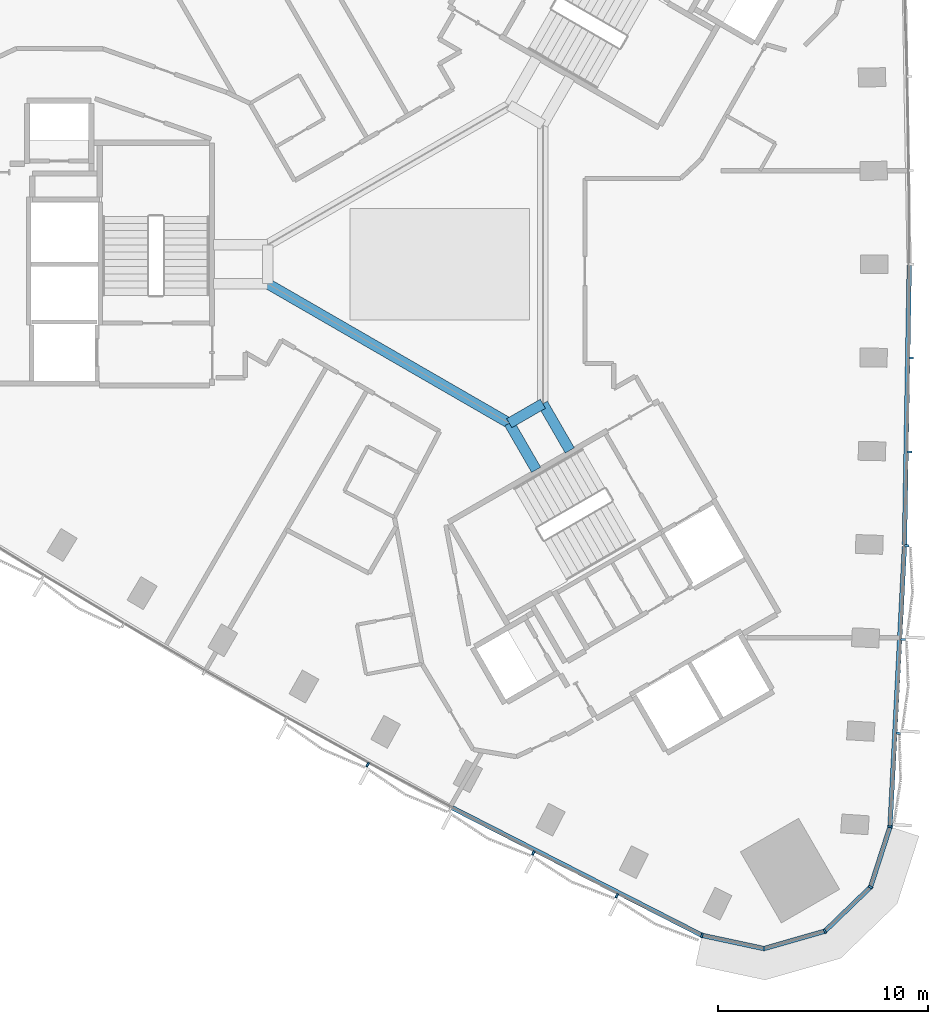
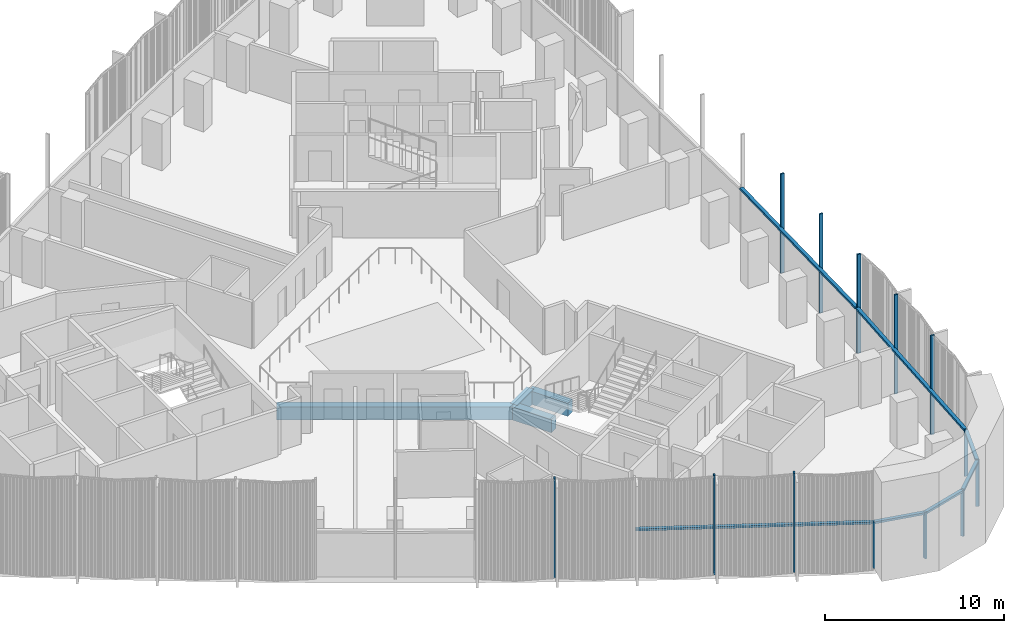
# One storey, part 3 of 15: 20 members, 4 beams, 2 elements without a shape of their own.
"""IFC4 building model written with IfcOpenShell, lengths in metres."""

from ifc_helpers import new_model, si_unit, direction, frame, origin, origin_2d, place, context, subcontext, project, spatial, rectangle, extrude, material, material_profile, profile_set, type_object, element, aggregate, save


model = new_model("IFC4")

# Units and contexts
model_context = context("Model", 3, precision=1e-05, world=origin(), true_north=direction((0.0, 1.0)))
body_context = subcontext(model_context, "Body", "Model", "MODEL_VIEW")
ifc_project = project(units=[si_unit("LENGTHUNIT", "METRE"), si_unit("AREAUNIT", "SQUARE_METRE"), si_unit("VOLUMEUNIT", "CUBIC_METRE"), si_unit("PLANEANGLEUNIT", "RADIAN"), si_unit("MASSUNIT", "GRAM", prefix="KILO")], contexts=[model_context])

# Site, building, storey
site_placement = place(None, origin())
site = spatial("IfcSite", under=ifc_project, at=site_placement, CompositionType="ELEMENT")
building_placement = place(site_placement, origin())
building = spatial("IfcBuilding", under=site, at=building_placement, Name="Tamra Quay Hotel Tower", CompositionType="ELEMENT")
storey_placement = place(building_placement, frame((0.0, 0.0, 79.39990234375)))
storey = spatial("IfcBuildingStorey", under=building, at=storey_placement, Name="L18", CompositionType="ELEMENT", Elevation=79.39990234375)

# Beams
ifc_material_1 = material(Name="Concrete M60", Category="concrete")
ifc_material_profile_1 = material_profile(ifc_material_1, rectangle(XDim=0.5, YDim=0.89990234375, at=origin_2d()), Name="ATRIUM EDGE BEAM RC 500x900")
ifc_profile_set_1 = profile_set([ifc_material_profile_1], Name="Concrete M60")
beam_type_1 = type_object("IfcBeamType", Name="ATRIUM EDGE BEAM RC 500x900", PredefinedType="BEAM", material=ifc_profile_set_1)
beam_1_placement = place(storey_placement, frame((4.89990234375, -6.639404296875, -0.875), z_axis=(-0.865989712182, -0.500061814573, 0.0), x_axis=(0.500061814573, -0.865989712182, 0.0)))
element("IfcBeam", 1, at=beam_1_placement, inside=storey, type_object=beam_type_1, Name="BM-AB1-L18", PredefinedType="BEAM", context=body_context, shape_type="SweptSolid", body=[
    extrude(rectangle(XDim=0.5, YDim=0.89990234375, at=origin_2d()), origin(), (0.0, 0.0, 1.0), 1.847412109375),
])
beam_2_placement = place(storey_placement, frame((3.300048828125, -7.563232421875, -0.875), z_axis=(-0.866029440693, 0.499993007805, 0.0), x_axis=(-0.499993007805, -0.866029440693, 0.0)))
element("IfcBeam", 2, at=beam_2_placement, inside=storey, type_object=beam_type_1, Name="BM-AB2-L18", PredefinedType="BEAM", context=body_context, shape_type="SweptSolid", body=[
    extrude(rectangle(XDim=0.5, YDim=0.89990234375, at=origin_2d()), origin(), (0.0, 0.0, 1.0), 13.279052734375),
])
ifc_material_profile_2 = material_profile(ifc_material_1, rectangle(XDim=0.5, YDim=0.89990234375, at=origin_2d()), Name="ATRIUM TIE BEAM RC 500x900")
ifc_profile_set_2 = profile_set([ifc_material_profile_2], Name="Concrete M60")
beam_type_2 = type_object("IfcBeamType", Name="ATRIUM TIE BEAM RC 500x900", PredefinedType="BEAM", material=ifc_profile_set_2)
for number, where, z_axis, x_axis, name in (
    (3, (4.89990234375, -6.639404296875, -0.875), (0.50003311468, -0.866006284171, 0.0), (0.866006284171, 0.50003311468, 0.0), "BM-TIE-1-L18"),
    (4, (3.300048828125, -7.563232421875, -0.875), (0.499961652204, -0.866047542763, 0.0), (0.866047542763, 0.499961652204, 0.0), "BM-TIE-2-L18"),
):
    element("IfcBeam", number, at=place(storey_placement, frame(where, z_axis=z_axis, x_axis=x_axis)), inside=storey, type_object=beam_type_2, Name=name, PredefinedType="BEAM", context=body_context, shape_type="SweptSolid", body=[
        extrude(rectangle(XDim=0.5, YDim=0.89990234375, at=origin_2d()), origin(), (0.0, 0.0, 1.0), 2.562255859375),
    ])

# Curtain wall, members
ifc_material_2 = material(Name="Aluminium 6063 anodised dark grey", Category="aluminium")
curtain_wall_type_1 = type_object("IfcCurtainWallType", Name="CW1 CURTAIN WALL", PredefinedType="NOTDEFINED", material=ifc_material_2)
curtain_wall_1_placement = place(storey_placement, origin())
curtain_wall_1 = element("IfcCurtainWall", 5, at=curtain_wall_1_placement, inside=storey, type_object=curtain_wall_type_1, Name="CW1 east face L18", PredefinedType="NOTDEFINED")
ifc_material_profile_3 = material_profile(ifc_material_2, rectangle(XDim=0.219970703125, YDim=0.10009765625, at=origin_2d()), Name="MULLION 100X220")
ifc_profile_set_3 = profile_set([ifc_material_profile_3], Name="Aluminium 6063 anodised dark grey")
member_type_1 = type_object("IfcMemberType", Name="MULLION CW1 Z2", PredefinedType="MULLION", material=ifc_profile_set_3)
member_1_placement = place(storey_placement, frame((21.41650390625, -26.762451171875, 0.0), z_axis=(0.0, 0.0, 1.0), x_axis=(0.982419074219, -0.18668894614, 0.0)))
member_1 = element("IfcMember", 6, at=member_1_placement, type_object=member_type_1, Name="CW1 mullion L18.E.1", PredefinedType="MULLION", context=body_context, shape_type="SweptSolid", body=[
    extrude(rectangle(XDim=0.219970703125, YDim=0.10009765625, at=origin_2d()), origin(), (0.0, 0.0, 1.0), 3.175048828125),
])
member_2_placement = place(storey_placement, frame((21.805908203125, -22.31396484375, 0.0), z_axis=(0.0, 0.0, 1.0), x_axis=(0.998374392499, -0.056996249012, 0.0)))
member_2 = element("IfcMember", 7, at=member_2_placement, type_object=member_type_1, Name="CW1 mullion L18.E.2", PredefinedType="MULLION", context=body_context, shape_type="SweptSolid", body=[
    extrude(rectangle(XDim=0.219970703125, YDim=0.10009765625, at=origin_2d()), origin(), (0.0, 0.0, 1.0), 6.775146484375),
])
member_3_placement = place(storey_placement, frame((22.03515625, -17.854736328125, 0.0), z_axis=(0.0, 0.0, 1.0), x_axis=(0.99895827695, -0.045632892877, 0.0)))
member_3 = element("IfcMember", 8, at=member_3_placement, type_object=member_type_1, Name="CW1 mullion L18.E.3", PredefinedType="MULLION", context=body_context, shape_type="SweptSolid", body=[
    extrude(rectangle(XDim=0.219970703125, YDim=0.10009765625, at=origin_2d()), origin(), (0.0, 0.0, 1.0), 6.775146484375),
])
member_4_placement = place(storey_placement, frame((22.21337890625, -13.39306640625, 0.0), z_axis=(0.0, 0.0, 1.0), x_axis=(0.999413449002, -0.034245553786, 0.0)))
member_4 = element("IfcMember", 9, at=member_4_placement, type_object=member_type_1, Name="CW1 mullion L18.E.4", PredefinedType="MULLION", context=body_context, shape_type="SweptSolid", body=[
    extrude(rectangle(XDim=0.219970703125, YDim=0.10009765625, at=origin_2d()), origin(), (0.0, 0.0, 1.0), 6.775146484375),
])
member_5_placement = place(storey_placement, frame((22.341064453125, -8.9296875, 0.0), z_axis=(0.0, 0.0, 1.0), x_axis=(0.99973912308, -0.022840441834, 0.0)))
member_5 = element("IfcMember", 10, at=member_5_placement, type_object=member_type_1, Name="CW1 mullion L18.E.5", PredefinedType="MULLION", context=body_context, shape_type="SweptSolid", body=[
    extrude(rectangle(XDim=0.219970703125, YDim=0.10009765625, at=origin_2d()), origin(), (0.0, 0.0, 1.0), 6.775146484375),
])
member_6_placement = place(storey_placement, frame((22.41748046875, -4.465087890625, 0.0), z_axis=(0.0, 0.0, 1.0), x_axis=(0.999934749978, -0.011423475244, 0.0)))
member_6 = element("IfcMember", 11, at=member_6_placement, type_object=member_type_1, Name="CW1 mullion L18.E.6", PredefinedType="MULLION", context=body_context, shape_type="SweptSolid", body=[
    extrude(rectangle(XDim=0.219970703125, YDim=0.10009765625, at=origin_2d()), origin(), (0.0, 0.0, 1.0), 6.775146484375),
])

curtain_wall_type_2 = type_object("IfcCurtainWallType", Name="CW3 CURTAIN WALL", PredefinedType="NOTDEFINED", material=ifc_material_2)
curtain_wall_2_placement = place(storey_placement, origin())
curtain_wall_2 = element("IfcCurtainWall", 12, at=curtain_wall_2_placement, inside=storey, type_object=curtain_wall_type_2, Name="CW3 south-west face L18", PredefinedType="NOTDEFINED")
ifc_material_profile_4 = material_profile(ifc_material_2, rectangle(XDim=0.219970703125, YDim=0.10009765625, at=origin_2d()), Name="MULLION 100X220")
ifc_profile_set_4 = profile_set([ifc_material_profile_4], Name="Aluminium 6063 anodised dark grey")
member_type_2 = type_object("IfcMemberType", Name="MULLION CW3 Z2", PredefinedType="MULLION", material=ifc_profile_set_4)
member_7_placement = place(storey_placement, frame((-3.43701171875, -23.812744140625, 0.0), z_axis=(0.0, 0.0, 1.0), x_axis=(-0.480089158678, -0.877219698662, 0.0)))
member_7 = element("IfcMember", 13, at=member_7_placement, type_object=member_type_2, Name="CW3 mullion L18.SW.9", PredefinedType="MULLION", context=body_context, shape_type="SweptSolid", body=[
    extrude(rectangle(XDim=0.219970703125, YDim=0.10009765625, at=origin_2d()), origin(), (0.0, 0.0, 1.0), 6.775146484375),
])
member_8_placement = place(storey_placement, frame((4.445068359375, -28.01025390625, 0.0), z_axis=(0.0, 0.0, 1.0), x_axis=(-0.459959893996, -0.887939691598, 0.0)))
member_8 = element("IfcMember", 14, at=member_8_placement, type_object=member_type_2, Name="CW3 mullion L18.SW.11", PredefinedType="MULLION", context=body_context, shape_type="SweptSolid", body=[
    extrude(rectangle(XDim=0.219970703125, YDim=0.10009765625, at=origin_2d()), origin(), (0.0, 0.0, 1.0), 6.775146484375),
])
member_9_placement = place(storey_placement, frame((8.421630859375, -30.04150390625, 0.0), z_axis=(0.0, 0.0, 1.0), x_axis=(-0.449826996685, -0.893115710899, 0.0)))
member_9 = element("IfcMember", 15, at=member_9_placement, type_object=member_type_2, Name="CW3 mullion L18.SW.12", PredefinedType="MULLION", context=body_context, shape_type="SweptSolid", body=[
    extrude(rectangle(XDim=0.219970703125, YDim=0.10009765625, at=origin_2d()), origin(), (0.0, 0.0, 1.0), 6.775146484375),
])
member_10_placement = place(storey_placement, frame((12.46875, -31.928466796875, 0.0), z_axis=(0.0, 0.0, 1.0), x_axis=(-0.329532167147, -0.944144348506, 0.0)))
member_10 = element("IfcMember", 16, at=member_10_placement, type_object=member_type_2, Name="CW3 mullion L18.SW.13", PredefinedType="MULLION", context=body_context, shape_type="SweptSolid", body=[
    extrude(rectangle(XDim=0.219970703125, YDim=0.10009765625, at=origin_2d()), origin(), (0.0, 0.0, 1.0), 3.175048828125),
])
member_11_placement = place(storey_placement, frame((15.418701171875, -32.559326171875, 0.0), z_axis=(0.0, 0.0, 1.0), x_axis=(0.03404070031, -0.999420447421, 0.0)))
member_11 = element("IfcMember", 17, at=member_11_placement, type_object=member_type_2, Name="CW3 mullion L18.SW.14", PredefinedType="MULLION", context=body_context, shape_type="SweptSolid", body=[
    extrude(rectangle(XDim=0.219970703125, YDim=0.10009765625, at=origin_2d()), origin(), (0.0, 0.0, 1.0), 3.175048828125),
])
member_12_placement = place(storey_placement, frame((18.31884765625, -31.729248046875, 0.0), z_axis=(0.0, 0.0, 1.0), x_axis=(0.5, -0.866025403784, 0.0)))
member_12 = element("IfcMember", 18, at=member_12_placement, type_object=member_type_2, Name="CW3 mullion L18.SW.15", PredefinedType="MULLION", context=body_context, shape_type="SweptSolid", body=[
    extrude(rectangle(XDim=0.219970703125, YDim=0.10009765625, at=origin_2d()), origin(), (0.0, 0.0, 1.0), 3.175048828125),
])
member_13_placement = place(storey_placement, frame((20.488037109375, -29.6328125, 0.0), z_axis=(0.0, 0.0, 1.0), x_axis=(0.848503146373, -0.529190334941, 0.0)))
member_13 = element("IfcMember", 19, at=member_13_placement, type_object=member_type_2, Name="CW3 mullion L18.SW.16", PredefinedType="MULLION", context=body_context, shape_type="SweptSolid", body=[
    extrude(rectangle(XDim=0.219970703125, YDim=0.10009765625, at=origin_2d()), origin(), (0.0, 0.0, 1.0), 3.175048828125),
])

# Member
ifc_material_profile_5 = material_profile(ifc_material_2, rectangle(XDim=0.219970703125, YDim=0.139892578125, at=origin_2d()), Name="TRANSOM 220X140")
ifc_profile_set_5 = profile_set([ifc_material_profile_5], Name="Aluminium 6063 anodised dark grey")
member_type_3 = type_object("IfcMemberType", Name="TRANSOM CW1 Z2", PredefinedType="USERDEFINED", material=ifc_profile_set_5)
member_14_placement = place(storey_placement, frame((21.41943359375, -26.712646484375, 3.10498046875), z_axis=(0.051322797132, 0.998682116839, 0.0), x_axis=(-0.998682116839, 0.051322797132, 0.0)))
member_14 = element("IfcMember", 20, at=member_14_placement, type_object=member_type_3, Name="CW1 transom L18.E.1", ObjectType="TRANSOM", PredefinedType="USERDEFINED", context=body_context, shape_type="SweptSolid", body=[
    extrude(rectangle(XDim=0.219970703125, YDim=0.139892578125, at=origin_2d()), origin(), (0.0, 0.0, 1.0), 13.291015625),
])

member_15_placement = place(storey_placement, frame((22.10498046875, -13.33935546875, 3.10498046875), z_axis=(0.017137820377, 0.999853136772, 0.0), x_axis=(-0.999853136772, 0.017137820377, 0.0)))
member_15 = element("IfcMember", 21, at=member_15_placement, type_object=member_type_3, Name="CW1 transom L18.E.4", ObjectType="TRANSOM", PredefinedType="USERDEFINED", context=body_context, shape_type="SweptSolid", body=[
    extrude(rectangle(XDim=0.219970703125, YDim=0.139892578125, at=origin_2d()), origin(), (0.0, 0.0, 1.0), 13.291259765625),
])

aggregate(curtain_wall_1, [member_1, member_14, member_2, member_3, member_4, member_15, member_5, member_6])

ifc_material_profile_6 = material_profile(ifc_material_2, rectangle(XDim=0.219970703125, YDim=0.139892578125, at=origin_2d()), Name="TRANSOM 220X140")
ifc_profile_set_6 = profile_set([ifc_material_profile_6], Name="Aluminium 6063 anodised dark grey")
member_type_4 = type_object("IfcMemberType", Name="TRANSOM CW3 Z2", PredefinedType="USERDEFINED", material=ifc_profile_set_6)
member_16_placement = place(storey_placement, frame((0.588134765625, -25.860107421875, 3.10498046875), z_axis=(0.89053639512, -0.454912001344, 0.0), x_axis=(0.454912001344, 0.89053639512, 0.0)))
member_16 = element("IfcMember", 22, at=member_16_placement, type_object=member_type_4, Name="CW3 transom L18.SW.10", ObjectType="TRANSOM", PredefinedType="USERDEFINED", context=body_context, shape_type="SweptSolid", body=[
    extrude(rectangle(XDim=0.219970703125, YDim=0.139892578125, at=origin_2d()), origin(), (0.0, 0.0, 1.0), 13.290771484375),
])

member_17_placement = place(storey_placement, frame((12.517822265625, -31.93896484375, 3.10498046875), z_axis=(0.97787585355, -0.209186077557, 0.0), x_axis=(0.209186077557, 0.97787585355, 0.0)))
member_17 = element("IfcMember", 23, at=member_17_placement, type_object=member_type_4, Name="CW3 transom L18.SW.13", ObjectType="TRANSOM", PredefinedType="USERDEFINED", context=body_context, shape_type="SweptSolid", body=[
    extrude(rectangle(XDim=0.219970703125, YDim=0.139892578125, at=origin_2d()), origin(), (0.0, 0.0, 1.0), 2.91650390625),
])

member_18_placement = place(storey_placement, frame((15.466796875, -32.545654296875, 3.10498046875), z_axis=(0.961378509885, 0.275229650893, 0.0), x_axis=(-0.275229650893, 0.961378509885, 0.0)))
member_18 = element("IfcMember", 24, at=member_18_placement, type_object=member_type_4, Name="CW3 transom L18.SW.14", ObjectType="TRANSOM", PredefinedType="USERDEFINED", context=body_context, shape_type="SweptSolid", body=[
    extrude(rectangle(XDim=0.219970703125, YDim=0.139892578125, at=origin_2d()), origin(), (0.0, 0.0, 1.0), 2.91650390625),
])

member_19_placement = place(storey_placement, frame((18.354736328125, -31.6943359375, 3.10498046875), z_axis=(0.719058089649, 0.694949972092, 0.0), x_axis=(-0.694949972092, 0.719058089649, 0.0)))
member_19 = element("IfcMember", 25, at=member_19_placement, type_object=member_type_4, Name="CW3 transom L18.SW.15", ObjectType="TRANSOM", PredefinedType="USERDEFINED", context=body_context, shape_type="SweptSolid", body=[
    extrude(rectangle(XDim=0.219970703125, YDim=0.139892578125, at=origin_2d()), origin(), (0.0, 0.0, 1.0), 2.91650390625),
])

member_20_placement = place(storey_placement, frame((20.50341796875, -29.585205078125, 3.10498046875), z_axis=(0.307777941734, 0.95145821694, 0.0), x_axis=(-0.95145821694, 0.307777941734, 0.0)))
member_20 = element("IfcMember", 26, at=member_20_placement, type_object=member_type_4, Name="CW3 transom L18.SW.16", ObjectType="TRANSOM", PredefinedType="USERDEFINED", context=body_context, shape_type="SweptSolid", body=[
    extrude(rectangle(XDim=0.219970703125, YDim=0.139892578125, at=origin_2d()), origin(), (0.0, 0.0, 1.0), 2.916748046875),
])

aggregate(curtain_wall_2, [member_7, member_16, member_8, member_9, member_10, member_17, member_11, member_18, member_12, member_19, member_13, member_20])

save(model, "model.ifc")
